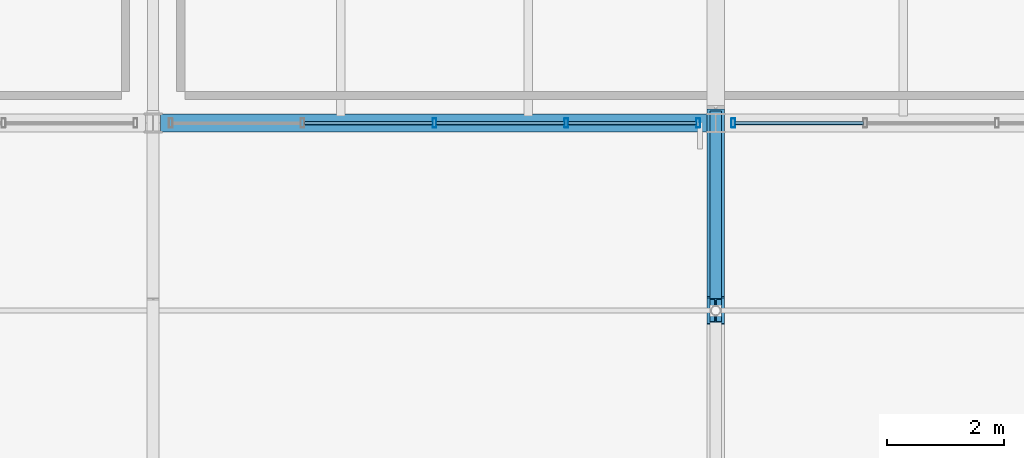
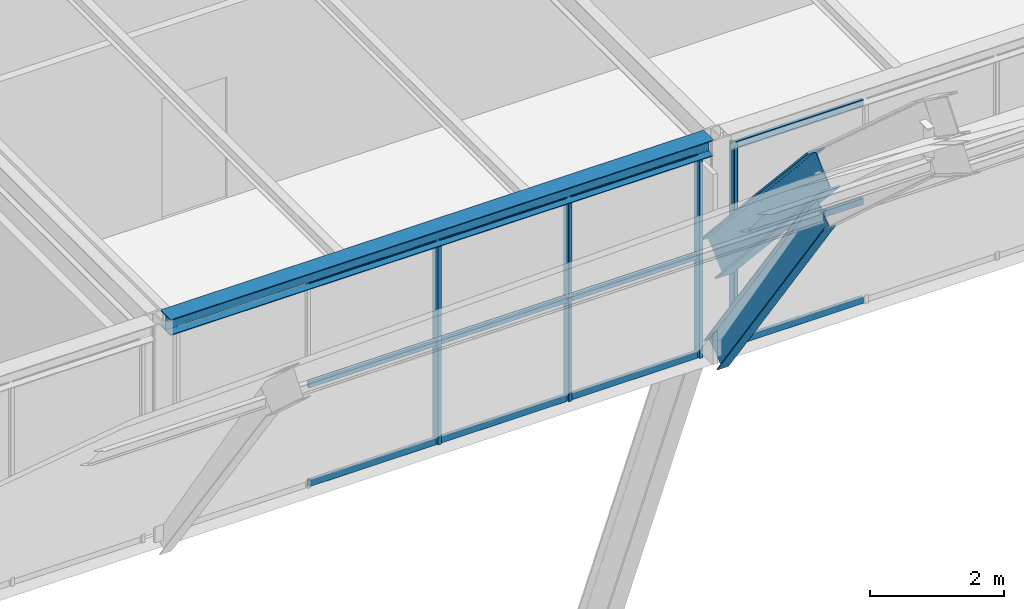
# One storey, part 82 of 126: 16 members, 3 beams, 2 elements without a shape of their own.
"""IFC4 building model written with IfcOpenShell, lengths in metres."""

from ifc_helpers import new_model, si_unit, direction, frame, origin, origin_2d, place, context, subcontext, project, spatial, hollow_rectangle, i_section, extrude, material, material_profile, profile_set, type_object, element, aggregate, save


model = new_model("IFC4")

# Units and contexts
model_context = context("Model", 3, precision=1e-05, world=origin(), true_north=direction((0.0, 1.0)))
body_context = subcontext(model_context, "Body", "Model", "MODEL_VIEW")
ifc_project = project(units=[si_unit("LENGTHUNIT", "METRE"), si_unit("AREAUNIT", "SQUARE_METRE"), si_unit("VOLUMEUNIT", "CUBIC_METRE"), si_unit("PLANEANGLEUNIT", "RADIAN"), si_unit("MASSUNIT", "GRAM", prefix="KILO")], contexts=[model_context])

# Site, building, storey
site_placement = place(None, origin())
site = spatial("IfcSite", under=ifc_project, at=site_placement, CompositionType="ELEMENT")
building_placement = place(site_placement, origin())
building = spatial("IfcBuilding", under=site, at=building_placement, Name="Coralgate Yard Interchange", CompositionType="ELEMENT")
storey_placement = place(building_placement, frame((0.0, 0.0, 10.5)))
storey = spatial("IfcBuildingStorey", under=building, at=storey_placement, Name="L02", CompositionType="ELEMENT", Elevation=10.5)

# Beams
ifc_material_1 = material(Name="Yellow-ochre weather-coated structural steel S355J2", Category="steel")
ifc_material_profile_1 = material_profile(ifc_material_1, i_section(OverallWidth=0.300048828125, OverallDepth=0.64990234375, WebThickness=0.01611328125, FlangeThickness=0.031005859375, FilletRadius=0.027099609375, at=origin_2d()), Name="HEB 650")
ifc_profile_set_1 = profile_set([ifc_material_profile_1], Name="Yellow-ochre weather-coated structural steel S355J2")
beam_type_1 = type_object("IfcBeamType", Name="BM-AR-1", PredefinedType="BEAM", material=ifc_profile_set_1)
beam_1_placement = place(storey_placement, frame((86.39990234375, 73.60009765625, 5.2138671875), z_axis=(0.0, 0.673304095466, -0.739365670713), x_axis=(-1.0, 0.0, 0.0)))
element("IfcBeam", 1, at=beam_1_placement, inside=storey, type_object=beam_type_1, Name="Yellow-ochre overarching steel arch AR-3 chord 13", PredefinedType="BEAM", context=body_context, shape_type="SweptSolid", body=[
    extrude(i_section(OverallWidth=0.300048828125, OverallDepth=0.64990234375, WebThickness=0.01611328125, FlangeThickness=0.031005859375, FilletRadius=0.027099609375, at=origin_2d()), origin(), (0.0, 0.0, 1.0), 4.752685546875),
])
ifc_material_2 = material(Name="Structural steel S355J2", Category="steel")
ifc_material_profile_2 = material_profile(ifc_material_2, i_section(OverallWidth=0.300048828125, OverallDepth=0.2900390625, WebThickness=0.008544921875, FlangeThickness=0.013916015625, FilletRadius=0.027099609375, at=origin_2d()), Name="HEA 300")
ifc_profile_set_2 = profile_set([ifc_material_profile_2], Name="Structural steel S355J2")
beam_type_2 = type_object("IfcBeamType", Name="BM-SP-2", PredefinedType="SPANDREL", material=ifc_profile_set_2)
beam_2_placement = place(storey_placement, frame((76.92724609375, 76.800048828125, 3.804931640625), z_axis=(1.0, 0.0, 0.0), x_axis=(0.0, 1.0, 0.0)))
element("IfcBeam", 2, at=beam_2_placement, inside=storey, type_object=beam_type_2, Name="L02 primary grid beam Y8 X8-9", PredefinedType="SPANDREL", context=body_context, shape_type="SweptSolid", body=[
    extrude(i_section(OverallWidth=0.300048828125, OverallDepth=0.2900390625, WebThickness=0.008544921875, FlangeThickness=0.013916015625, FilletRadius=0.027099609375, at=origin_2d()), origin(), (0.0, 0.0, 1.0), 9.345458984375),
])
ifc_material_3 = material(Name="Weather-coated structural steel S355J2", Category="steel")
ifc_material_profile_3 = material_profile(ifc_material_3, i_section(OverallWidth=0.199951171875, OverallDepth=0.5, WebThickness=0.01025390625, FlangeThickness=0.01611328125, FilletRadius=0.02099609375, at=origin_2d()), Name="IPE 500")
ifc_profile_set_3 = profile_set([ifc_material_profile_3], Name="Weather-coated structural steel S355J2")
beam_type_3 = type_object("IfcBeamType", Name="BM-VR-2", PredefinedType="BEAM", material=ifc_profile_set_3)
beam_3_placement = place(storey_placement, frame((86.39990234375, 73.60009765625, 4.436279296875), z_axis=(0.0, 0.578975368299, -0.81534503304), x_axis=(-1.0, 0.0, 0.0)))
element("IfcBeam", 3, at=beam_3_placement, inside=storey, type_object=beam_type_3, Name="Barrel-vault gridshell rib 6 seg 12", PredefinedType="BEAM", context=body_context, shape_type="SweptSolid", body=[
    extrude(i_section(OverallWidth=0.199951171875, OverallDepth=0.5, WebThickness=0.01025390625, FlangeThickness=0.01611328125, FilletRadius=0.02099609375, at=origin_2d()), origin(), (0.0, 0.0, 1.0), 5.52685546875),
])

# Curtain wall, members
ifc_material_4 = material(Name="Anodised coastal aluminium and solar-control low-E glass", Category="aluminium")
curtain_wall_type = type_object("IfcCurtainWallType", Name="CW-CW-L02-A", PredefinedType="NOTDEFINED", material=ifc_material_4)
curtain_wall_1_placement = place(storey_placement, origin())
curtain_wall_1 = element("IfcCurtainWall", 4, at=curtain_wall_1_placement, inside=storey, type_object=curtain_wall_type, Name="L02 unitised curtain wall CW-L02-S-08-08", PredefinedType="NOTDEFINED")
ifc_material_5 = material(Name="Anodised coastal aluminium 6063-T6", Category="aluminium")
ifc_material_profile_4 = material_profile(ifc_material_5, hollow_rectangle(XDim=0.06494140625, YDim=0.159912109375, WallThickness=0.00390625, InnerFilletRadius=0.00390625, OuterFilletRadius=0.008056640625, at=origin_2d()), Name="ALU 65x160x4")
ifc_profile_set_4 = profile_set([ifc_material_profile_4], Name="Anodised coastal aluminium 6063-T6")
member_type_1 = type_object("IfcMemberType", Name="MB-MUL-160", PredefinedType="MULLION", material=ifc_profile_set_4)
member_1_placement = place(storey_placement, frame((86.10009765625, 76.800048828125, 0.0), z_axis=(0.0, 0.0, 1.0), x_axis=(1.0, 0.0, 0.0)))
member_1 = element("IfcMember", 5, at=member_1_placement, type_object=member_type_1, Name="CW-L02-S-08-08 vertical mullion 1", PredefinedType="MULLION", context=body_context, shape_type="SweptSolid", body=[
    extrude(hollow_rectangle(XDim=0.06494140625, YDim=0.159912109375, WallThickness=0.00390625, InnerFilletRadius=0.00390625, OuterFilletRadius=0.008056640625, at=origin_2d()), origin(), (0.0, 0.0, 1.0), 3.659912109375),
])
member_2_placement = place(storey_placement, frame((83.85009765625, 76.800048828125, 0.0), z_axis=(0.0, 0.0, 1.0), x_axis=(1.0, 0.0, 0.0)))
member_2 = element("IfcMember", 6, at=member_2_placement, type_object=member_type_1, Name="CW-L02-S-08-08 vertical mullion 2", PredefinedType="MULLION", context=body_context, shape_type="SweptSolid", body=[
    extrude(hollow_rectangle(XDim=0.06494140625, YDim=0.159912109375, WallThickness=0.00390625, InnerFilletRadius=0.00390625, OuterFilletRadius=0.008056640625, at=origin_2d()), origin(), (0.0, 0.0, 1.0), 3.659912109375),
])
member_3_placement = place(storey_placement, frame((81.60009765625, 76.800048828125, 0.0), z_axis=(0.0, 0.0, 1.0), x_axis=(1.0, 0.0, 0.0)))
member_3 = element("IfcMember", 7, at=member_3_placement, type_object=member_type_1, Name="CW-L02-S-08-08 vertical mullion 3", PredefinedType="MULLION", context=body_context, shape_type="SweptSolid", body=[
    extrude(hollow_rectangle(XDim=0.06494140625, YDim=0.159912109375, WallThickness=0.00390625, InnerFilletRadius=0.00390625, OuterFilletRadius=0.008056640625, at=origin_2d()), origin(), (0.0, 0.0, 1.0), 3.659912109375),
])

# Curtain wall, member
curtain_wall_2_placement = place(storey_placement, origin())
curtain_wall_2 = element("IfcCurtainWall", 8, at=curtain_wall_2_placement, inside=storey, type_object=curtain_wall_type, Name="L02 unitised curtain wall CW-L02-S-09-08", PredefinedType="NOTDEFINED")
member_4_placement = place(storey_placement, frame((86.699951171875, 76.800048828125, 0.0), z_axis=(0.0, 0.0, 1.0), x_axis=(1.0, 0.0, 0.0)))
member_4 = element("IfcMember", 9, at=member_4_placement, type_object=member_type_1, Name="CW-L02-S-09-08 vertical mullion 5", PredefinedType="MULLION", context=body_context, shape_type="SweptSolid", body=[
    extrude(hollow_rectangle(XDim=0.06494140625, YDim=0.159912109375, WallThickness=0.00390625, InnerFilletRadius=0.00390625, OuterFilletRadius=0.008056640625, at=origin_2d()), origin(), (0.0, 0.0, 1.0), 3.659912109375),
])

# Member
ifc_material_profile_5 = material_profile(ifc_material_5, hollow_rectangle(XDim=0.06005859375, YDim=0.1201171875, WallThickness=0.00341796875, InnerFilletRadius=0.00341796875, OuterFilletRadius=0.007080078125, at=origin_2d()), Name="ALU 60x120x3.5")
ifc_profile_set_5 = profile_set([ifc_material_profile_5], Name="Anodised coastal aluminium 6063-T6")
member_type_2 = type_object("IfcMemberType", Name="MB-TRN-120", PredefinedType="USERDEFINED", material=ifc_profile_set_5)
member_5_placement = place(storey_placement, frame((86.070068359375, 76.800048828125, 0.034912109375), z_axis=(-1.0, 0.0, 0.0), x_axis=(0.0, -1.0, 0.0)))
member_5 = element("IfcMember", 10, at=member_5_placement, type_object=member_type_2, Name="CW-L02-S-08-08 horizontal transom 1-1", ObjectType="TRANSOM", PredefinedType="USERDEFINED", context=body_context, shape_type="SweptSolid", body=[
    extrude(hollow_rectangle(XDim=0.06005859375, YDim=0.1201171875, WallThickness=0.00341796875, InnerFilletRadius=0.00341796875, OuterFilletRadius=0.007080078125, at=origin_2d()), origin(), (0.0, 0.0, 1.0), 2.190185546875),
])

member_6_placement = place(storey_placement, frame((86.070068359375, 76.800048828125, 1.830078125), z_axis=(-1.0, 0.0, 0.0), x_axis=(0.0, -1.0, 0.0)))
member_6 = element("IfcMember", 11, at=member_6_placement, type_object=member_type_2, Name="CW-L02-S-08-08 horizontal transom 1-2", ObjectType="TRANSOM", PredefinedType="USERDEFINED", context=body_context, shape_type="SweptSolid", body=[
    extrude(hollow_rectangle(XDim=0.06005859375, YDim=0.1201171875, WallThickness=0.00341796875, InnerFilletRadius=0.00341796875, OuterFilletRadius=0.007080078125, at=origin_2d()), origin(), (0.0, 0.0, 1.0), 2.190185546875),
])

member_7_placement = place(storey_placement, frame((86.070068359375, 76.800048828125, 3.625), z_axis=(-1.0, 0.0, 0.0), x_axis=(0.0, -1.0, 0.0)))
member_7 = element("IfcMember", 12, at=member_7_placement, type_object=member_type_2, Name="CW-L02-S-08-08 horizontal transom 1-3", ObjectType="TRANSOM", PredefinedType="USERDEFINED", context=body_context, shape_type="SweptSolid", body=[
    extrude(hollow_rectangle(XDim=0.06005859375, YDim=0.1201171875, WallThickness=0.00341796875, InnerFilletRadius=0.00341796875, OuterFilletRadius=0.007080078125, at=origin_2d()), origin(), (0.0, 0.0, 1.0), 2.190185546875),
])

member_8_placement = place(storey_placement, frame((83.820068359375, 76.800048828125, 0.034912109375), z_axis=(-1.0, 0.0, 0.0), x_axis=(0.0, -1.0, 0.0)))
member_8 = element("IfcMember", 13, at=member_8_placement, type_object=member_type_2, Name="CW-L02-S-08-08 horizontal transom 2-1", ObjectType="TRANSOM", PredefinedType="USERDEFINED", context=body_context, shape_type="SweptSolid", body=[
    extrude(hollow_rectangle(XDim=0.06005859375, YDim=0.1201171875, WallThickness=0.00341796875, InnerFilletRadius=0.00341796875, OuterFilletRadius=0.007080078125, at=origin_2d()), origin(), (0.0, 0.0, 1.0), 2.190185546875),
])

member_9_placement = place(storey_placement, frame((83.820068359375, 76.800048828125, 1.830078125), z_axis=(-1.0, 0.0, 0.0), x_axis=(0.0, -1.0, 0.0)))
member_9 = element("IfcMember", 14, at=member_9_placement, type_object=member_type_2, Name="CW-L02-S-08-08 horizontal transom 2-2", ObjectType="TRANSOM", PredefinedType="USERDEFINED", context=body_context, shape_type="SweptSolid", body=[
    extrude(hollow_rectangle(XDim=0.06005859375, YDim=0.1201171875, WallThickness=0.00341796875, InnerFilletRadius=0.00341796875, OuterFilletRadius=0.007080078125, at=origin_2d()), origin(), (0.0, 0.0, 1.0), 2.190185546875),
])

member_10_placement = place(storey_placement, frame((83.820068359375, 76.800048828125, 3.625), z_axis=(-1.0, 0.0, 0.0), x_axis=(0.0, -1.0, 0.0)))
member_10 = element("IfcMember", 15, at=member_10_placement, type_object=member_type_2, Name="CW-L02-S-08-08 horizontal transom 2-3", ObjectType="TRANSOM", PredefinedType="USERDEFINED", context=body_context, shape_type="SweptSolid", body=[
    extrude(hollow_rectangle(XDim=0.06005859375, YDim=0.1201171875, WallThickness=0.00341796875, InnerFilletRadius=0.00341796875, OuterFilletRadius=0.007080078125, at=origin_2d()), origin(), (0.0, 0.0, 1.0), 2.190185546875),
])

member_11_placement = place(storey_placement, frame((81.570068359375, 76.800048828125, 0.034912109375), z_axis=(-1.0, 0.0, 0.0), x_axis=(0.0, -1.0, 0.0)))
member_11 = element("IfcMember", 16, at=member_11_placement, type_object=member_type_2, Name="CW-L02-S-08-08 horizontal transom 3-1", ObjectType="TRANSOM", PredefinedType="USERDEFINED", context=body_context, shape_type="SweptSolid", body=[
    extrude(hollow_rectangle(XDim=0.06005859375, YDim=0.1201171875, WallThickness=0.00341796875, InnerFilletRadius=0.00341796875, OuterFilletRadius=0.007080078125, at=origin_2d()), origin(), (0.0, 0.0, 1.0), 2.190185546875),
])

member_12_placement = place(storey_placement, frame((81.570068359375, 76.800048828125, 1.830078125), z_axis=(-1.0, 0.0, 0.0), x_axis=(0.0, -1.0, 0.0)))
member_12 = element("IfcMember", 17, at=member_12_placement, type_object=member_type_2, Name="CW-L02-S-08-08 horizontal transom 3-2", ObjectType="TRANSOM", PredefinedType="USERDEFINED", context=body_context, shape_type="SweptSolid", body=[
    extrude(hollow_rectangle(XDim=0.06005859375, YDim=0.1201171875, WallThickness=0.00341796875, InnerFilletRadius=0.00341796875, OuterFilletRadius=0.007080078125, at=origin_2d()), origin(), (0.0, 0.0, 1.0), 2.190185546875),
])

member_13_placement = place(storey_placement, frame((81.570068359375, 76.800048828125, 3.625), z_axis=(-1.0, 0.0, 0.0), x_axis=(0.0, -1.0, 0.0)))
member_13 = element("IfcMember", 18, at=member_13_placement, type_object=member_type_2, Name="CW-L02-S-08-08 horizontal transom 3-3", ObjectType="TRANSOM", PredefinedType="USERDEFINED", context=body_context, shape_type="SweptSolid", body=[
    extrude(hollow_rectangle(XDim=0.06005859375, YDim=0.1201171875, WallThickness=0.00341796875, InnerFilletRadius=0.00341796875, OuterFilletRadius=0.007080078125, at=origin_2d()), origin(), (0.0, 0.0, 1.0), 2.190185546875),
])

aggregate(curtain_wall_1, [member_1, member_2, member_3, member_5, member_6, member_7, member_8, member_9, member_10, member_11, member_12, member_13])

member_14_placement = place(storey_placement, frame((88.919921875, 76.800048828125, 0.034912109375), z_axis=(-1.0, 0.0, 0.0), x_axis=(0.0, -1.0, 0.0)))
member_14 = element("IfcMember", 19, at=member_14_placement, type_object=member_type_2, Name="CW-L02-S-09-08 horizontal transom 4-1", ObjectType="TRANSOM", PredefinedType="USERDEFINED", context=body_context, shape_type="SweptSolid", body=[
    extrude(hollow_rectangle(XDim=0.06005859375, YDim=0.1201171875, WallThickness=0.00341796875, InnerFilletRadius=0.00341796875, OuterFilletRadius=0.007080078125, at=origin_2d()), origin(), (0.0, 0.0, 1.0), 2.18994140625),
])

member_15_placement = place(storey_placement, frame((88.919921875, 76.800048828125, 1.830078125), z_axis=(-1.0, 0.0, 0.0), x_axis=(0.0, -1.0, 0.0)))
member_15 = element("IfcMember", 20, at=member_15_placement, type_object=member_type_2, Name="CW-L02-S-09-08 horizontal transom 4-2", ObjectType="TRANSOM", PredefinedType="USERDEFINED", context=body_context, shape_type="SweptSolid", body=[
    extrude(hollow_rectangle(XDim=0.06005859375, YDim=0.1201171875, WallThickness=0.00341796875, InnerFilletRadius=0.00341796875, OuterFilletRadius=0.007080078125, at=origin_2d()), origin(), (0.0, 0.0, 1.0), 2.18994140625),
])

member_16_placement = place(storey_placement, frame((88.919921875, 76.800048828125, 3.625), z_axis=(-1.0, 0.0, 0.0), x_axis=(0.0, -1.0, 0.0)))
member_16 = element("IfcMember", 21, at=member_16_placement, type_object=member_type_2, Name="CW-L02-S-09-08 horizontal transom 4-3", ObjectType="TRANSOM", PredefinedType="USERDEFINED", context=body_context, shape_type="SweptSolid", body=[
    extrude(hollow_rectangle(XDim=0.06005859375, YDim=0.1201171875, WallThickness=0.00341796875, InnerFilletRadius=0.00341796875, OuterFilletRadius=0.007080078125, at=origin_2d()), origin(), (0.0, 0.0, 1.0), 2.18994140625),
])

aggregate(curtain_wall_2, [member_4, member_14, member_15, member_16])

save(model, "model.ifc")
